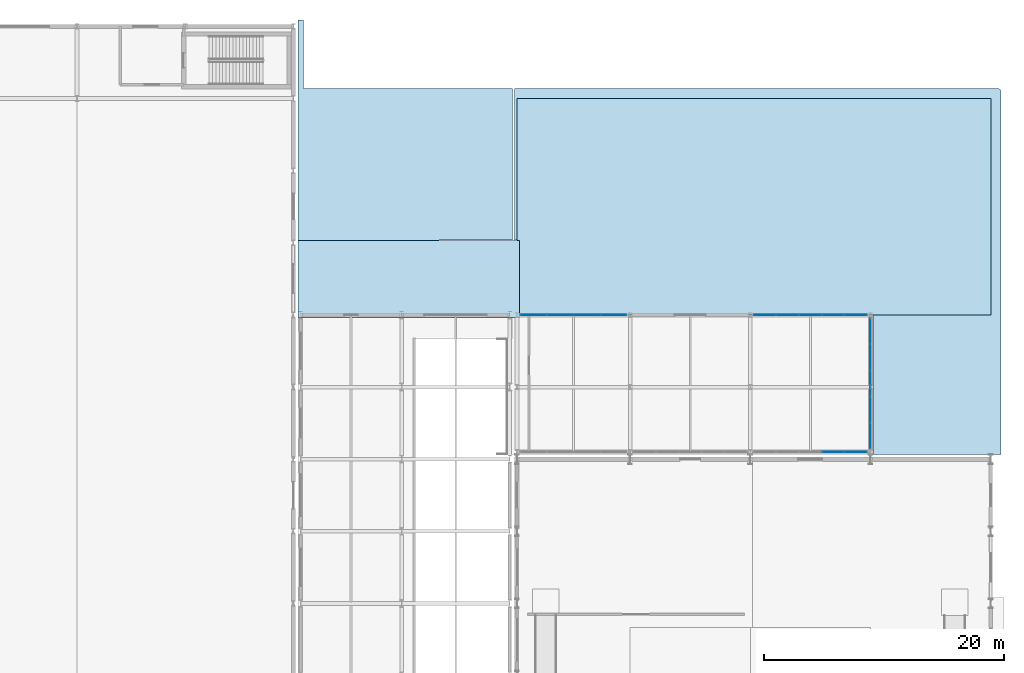
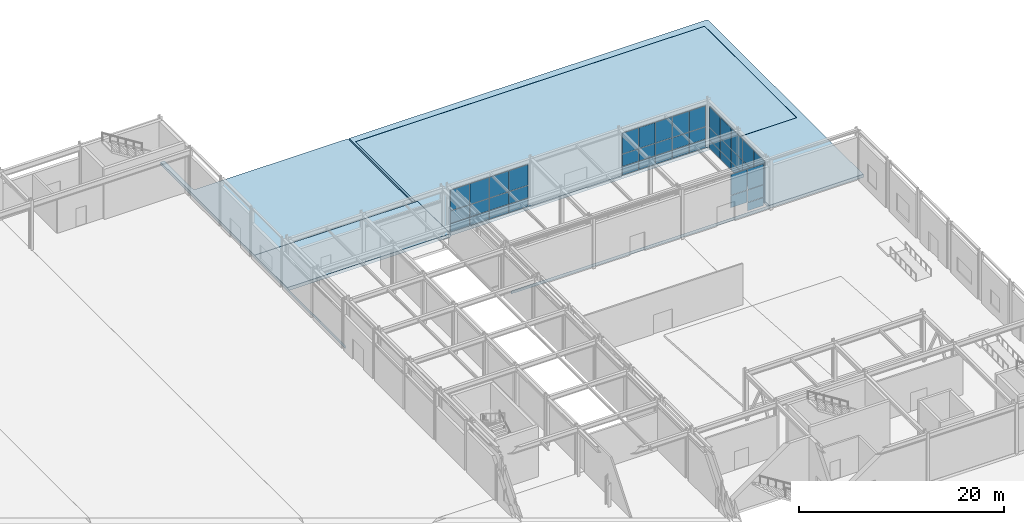
# One storey, part 114 of 146: 47 plates, 4 slabs, 4 elements without a shape of their own.
"""IFC4 building model written with IfcOpenShell, lengths in metres."""

from ifc_helpers import new_model, si_unit, direction, frame, origin, origin_2d, place, context, subcontext, project, spatial, polyline, rectangle, outline, extrude, material, layer, layer_set, type_object, element, aggregate, save


model = new_model("IFC4")

# Units and contexts
model_context = context("Model", 3, precision=1e-05, world=origin(), true_north=direction((0.0, 1.0)))
body_context = subcontext(model_context, "Body", "Model", "MODEL_VIEW")
ifc_project = project(units=[si_unit("LENGTHUNIT", "METRE"), si_unit("AREAUNIT", "SQUARE_METRE"), si_unit("VOLUMEUNIT", "CUBIC_METRE"), si_unit("PLANEANGLEUNIT", "RADIAN"), si_unit("MASSUNIT", "GRAM", prefix="KILO")], contexts=[model_context])

# Site, building, storey
site_placement = place(None, origin())
site = spatial("IfcSite", under=ifc_project, at=site_placement, CompositionType="ELEMENT")
building_placement = place(site_placement, origin())
building = spatial("IfcBuilding", under=site, at=building_placement, Name="Kaldris Quays Convention Centre", CompositionType="ELEMENT")
storey_placement = place(building_placement, origin())
storey = spatial("IfcBuildingStorey", under=building, at=storey_placement, Name="L00", CompositionType="ELEMENT", Elevation=0.0)

# Curtain wall, plates
ifc_material_1 = material(Name="Anodized aluminium AW-6060 and triple glazing", Category="aluminium")
curtain_wall_type = type_object("IfcCurtainWallType", Name="UNITISED CURTAIN WALL CW06", PredefinedType="NOTDEFINED", material=ifc_material_1)
curtain_wall_1_placement = place(storey_placement, origin())
curtain_wall_1 = element("IfcCurtainWall", 1, at=curtain_wall_1_placement, inside=storey, type_object=curtain_wall_type, Name="L00 Unitised Curtain Wall CW06 153", PredefinedType="NOTDEFINED")
ifc_material_2 = material(Name="Triple low-E insulated glazing", Category="glass")
plate_type_1 = type_object("IfcPlateType", Name="CURTAIN GLAZING PANEL CWP1", PredefinedType="CURTAIN_PANEL", material=ifc_material_2)
plate_1_placement = place(storey_placement, frame((165.9775390625, 116.0, 0.06005859375), z_axis=(0.0, 0.0, 1.0), x_axis=(1.0, 0.0, 0.0)))
plate_1 = element("IfcPlate", 2, at=plate_1_placement, type_object=plate_type_1, Name="CW06 panel 1.1", PredefinedType="CURTAIN_PANEL", context=body_context, shape_type="SweptSolid", body=[
    extrude(rectangle(XDim=2.135009765625, YDim=0.029052734375, at=origin_2d()), origin(), (0.0, 0.0, 1.0), 0.9599609375),
])
plate_2_placement = place(storey_placement, frame((165.9775390625, 116.0, 1.080078125), z_axis=(0.0, 0.0, 1.0), x_axis=(1.0, 0.0, 0.0)))
plate_2 = element("IfcPlate", 3, at=plate_2_placement, type_object=plate_type_1, Name="CW06 panel 1.2", PredefinedType="CURTAIN_PANEL", context=body_context, shape_type="SweptSolid", body=[
    extrude(rectangle(XDim=2.135009765625, YDim=0.029052734375, at=origin_2d()), origin(), (0.0, 0.0, 1.0), 1.43896484375),
])
plate_3_placement = place(storey_placement, frame((165.9775390625, 116.0, 2.5791015625), z_axis=(0.0, 0.0, 1.0), x_axis=(1.0, 0.0, 0.0)))
plate_3 = element("IfcPlate", 4, at=plate_3_placement, type_object=plate_type_1, Name="CW06 panel 1.3", PredefinedType="CURTAIN_PANEL", context=body_context, shape_type="SweptSolid", body=[
    extrude(rectangle(XDim=2.135009765625, YDim=0.029052734375, at=origin_2d()), origin(), (0.0, 0.0, 1.0), 2.458984375),
])
plate_4_placement = place(storey_placement, frame((168.1875, 116.0, 0.06005859375), z_axis=(0.0, 0.0, 1.0), x_axis=(1.0, 0.0, 0.0)))
plate_4 = element("IfcPlate", 5, at=plate_4_placement, type_object=plate_type_1, Name="CW06 panel 2.1", PredefinedType="CURTAIN_PANEL", context=body_context, shape_type="SweptSolid", body=[
    extrude(rectangle(XDim=2.1650390625, YDim=0.029052734375, at=origin_2d()), origin(), (0.0, 0.0, 1.0), 0.9599609375),
])
plate_5_placement = place(storey_placement, frame((168.1875, 116.0, 1.080078125), z_axis=(0.0, 0.0, 1.0), x_axis=(1.0, 0.0, 0.0)))
plate_5 = element("IfcPlate", 6, at=plate_5_placement, type_object=plate_type_1, Name="CW06 panel 2.2", PredefinedType="CURTAIN_PANEL", context=body_context, shape_type="SweptSolid", body=[
    extrude(rectangle(XDim=2.1650390625, YDim=0.029052734375, at=origin_2d()), origin(), (0.0, 0.0, 1.0), 1.43896484375),
])
plate_6_placement = place(storey_placement, frame((168.1875, 116.0, 2.5791015625), z_axis=(0.0, 0.0, 1.0), x_axis=(1.0, 0.0, 0.0)))
plate_6 = element("IfcPlate", 7, at=plate_6_placement, type_object=plate_type_1, Name="CW06 panel 2.3", PredefinedType="CURTAIN_PANEL", context=body_context, shape_type="SweptSolid", body=[
    extrude(rectangle(XDim=2.1650390625, YDim=0.029052734375, at=origin_2d()), origin(), (0.0, 0.0, 1.0), 2.458984375),
])
plate_7_placement = place(storey_placement, frame((170.41259765625, 116.0, 0.06005859375), z_axis=(0.0, 0.0, 1.0), x_axis=(1.0, 0.0, 0.0)))
plate_7 = element("IfcPlate", 8, at=plate_7_placement, type_object=plate_type_1, Name="CW06 panel 3.1", PredefinedType="CURTAIN_PANEL", context=body_context, shape_type="SweptSolid", body=[
    extrude(rectangle(XDim=2.1650390625, YDim=0.029052734375, at=origin_2d()), origin(), (0.0, 0.0, 1.0), 0.9599609375),
])
plate_8_placement = place(storey_placement, frame((170.41259765625, 116.0, 1.080078125), z_axis=(0.0, 0.0, 1.0), x_axis=(1.0, 0.0, 0.0)))
plate_8 = element("IfcPlate", 9, at=plate_8_placement, type_object=plate_type_1, Name="CW06 panel 3.2", PredefinedType="CURTAIN_PANEL", context=body_context, shape_type="SweptSolid", body=[
    extrude(rectangle(XDim=2.1650390625, YDim=0.029052734375, at=origin_2d()), origin(), (0.0, 0.0, 1.0), 1.43896484375),
])
plate_9_placement = place(storey_placement, frame((170.41259765625, 116.0, 2.5791015625), z_axis=(0.0, 0.0, 1.0), x_axis=(1.0, 0.0, 0.0)))
plate_9 = element("IfcPlate", 10, at=plate_9_placement, type_object=plate_type_1, Name="CW06 panel 3.3", PredefinedType="CURTAIN_PANEL", context=body_context, shape_type="SweptSolid", body=[
    extrude(rectangle(XDim=2.1650390625, YDim=0.029052734375, at=origin_2d()), origin(), (0.0, 0.0, 1.0), 2.458984375),
])
plate_10_placement = place(storey_placement, frame((172.62255859375, 116.0, 0.06005859375), z_axis=(0.0, 0.0, 1.0), x_axis=(1.0, 0.0, 0.0)))
plate_10 = element("IfcPlate", 11, at=plate_10_placement, type_object=plate_type_1, Name="CW06 panel 4.1", PredefinedType="CURTAIN_PANEL", context=body_context, shape_type="SweptSolid", body=[
    extrude(rectangle(XDim=2.135009765625, YDim=0.029052734375, at=origin_2d()), origin(), (0.0, 0.0, 1.0), 0.9599609375),
])
plate_11_placement = place(storey_placement, frame((172.62255859375, 116.0, 1.080078125), z_axis=(0.0, 0.0, 1.0), x_axis=(1.0, 0.0, 0.0)))
plate_11 = element("IfcPlate", 12, at=plate_11_placement, type_object=plate_type_1, Name="CW06 panel 4.2", PredefinedType="CURTAIN_PANEL", context=body_context, shape_type="SweptSolid", body=[
    extrude(rectangle(XDim=2.135009765625, YDim=0.029052734375, at=origin_2d()), origin(), (0.0, 0.0, 1.0), 1.43896484375),
])
plate_12_placement = place(storey_placement, frame((172.62255859375, 116.0, 2.5791015625), z_axis=(0.0, 0.0, 1.0), x_axis=(1.0, 0.0, 0.0)))
plate_12 = element("IfcPlate", 13, at=plate_12_placement, type_object=plate_type_1, Name="CW06 panel 4.3", PredefinedType="CURTAIN_PANEL", context=body_context, shape_type="SweptSolid", body=[
    extrude(rectangle(XDim=2.135009765625, YDim=0.029052734375, at=origin_2d()), origin(), (0.0, 0.0, 1.0), 2.458984375),
])
aggregate(curtain_wall_1, [plate_1, plate_2, plate_3, plate_4, plate_5, plate_6, plate_7, plate_8, plate_9, plate_10, plate_11, plate_12])

curtain_wall_2_placement = place(storey_placement, origin())
curtain_wall_2 = element("IfcCurtainWall", 14, at=curtain_wall_2_placement, inside=storey, type_object=curtain_wall_type, Name="L00 Unitised Curtain Wall CW06 156", PredefinedType="NOTDEFINED")
plate_type_2 = type_object("IfcPlateType", Name="CURTAIN GLAZING PANEL CWP4", PredefinedType="CURTAIN_PANEL", material=ifc_material_2)
plate_13_placement = place(storey_placement, frame((185.215087890625, 116.0, 0.06005859375), z_axis=(0.0, 0.0, 1.0), x_axis=(1.0, 0.0, 0.0)))
plate_13 = element("IfcPlate", 15, at=plate_13_placement, type_object=plate_type_2, Name="CW06 panel 1.1", PredefinedType="CURTAIN_PANEL", context=body_context, shape_type="SweptSolid", body=[
    extrude(rectangle(XDim=1.81005859375, YDim=0.0439453125, at=origin_2d()), origin(), (0.0, 0.0, 1.0), 0.9599609375),
])
plate_14_placement = place(storey_placement, frame((185.215087890625, 116.0, 1.080078125), z_axis=(0.0, 0.0, 1.0), x_axis=(1.0, 0.0, 0.0)))
plate_14 = element("IfcPlate", 16, at=plate_14_placement, type_object=plate_type_2, Name="CW06 panel 1.2", PredefinedType="CURTAIN_PANEL", context=body_context, shape_type="SweptSolid", body=[
    extrude(rectangle(XDim=1.81005859375, YDim=0.0439453125, at=origin_2d()), origin(), (0.0, 0.0, 1.0), 1.43896484375),
])
plate_15_placement = place(storey_placement, frame((185.215087890625, 116.0, 2.5791015625), z_axis=(0.0, 0.0, 1.0), x_axis=(1.0, 0.0, 0.0)))
plate_15 = element("IfcPlate", 17, at=plate_15_placement, type_object=plate_type_2, Name="CW06 panel 1.3", PredefinedType="CURTAIN_PANEL", context=body_context, shape_type="SweptSolid", body=[
    extrude(rectangle(XDim=1.81005859375, YDim=0.0439453125, at=origin_2d()), origin(), (0.0, 0.0, 1.0), 2.458984375),
])
plate_16_placement = place(storey_placement, frame((187.10009765625, 116.0, 0.06005859375), z_axis=(0.0, 0.0, 1.0), x_axis=(1.0, 0.0, 0.0)))
plate_16 = element("IfcPlate", 18, at=plate_16_placement, type_object=plate_type_2, Name="CW06 panel 2.1", PredefinedType="CURTAIN_PANEL", context=body_context, shape_type="SweptSolid", body=[
    extrude(rectangle(XDim=1.840087890625, YDim=0.0439453125, at=origin_2d()), origin(), (0.0, 0.0, 1.0), 0.9599609375),
])
plate_17_placement = place(storey_placement, frame((187.10009765625, 116.0, 1.080078125), z_axis=(0.0, 0.0, 1.0), x_axis=(1.0, 0.0, 0.0)))
plate_17 = element("IfcPlate", 19, at=plate_17_placement, type_object=plate_type_2, Name="CW06 panel 2.2", PredefinedType="CURTAIN_PANEL", context=body_context, shape_type="SweptSolid", body=[
    extrude(rectangle(XDim=1.840087890625, YDim=0.0439453125, at=origin_2d()), origin(), (0.0, 0.0, 1.0), 1.43896484375),
])
plate_18_placement = place(storey_placement, frame((187.10009765625, 116.0, 2.5791015625), z_axis=(0.0, 0.0, 1.0), x_axis=(1.0, 0.0, 0.0)))
plate_18 = element("IfcPlate", 20, at=plate_18_placement, type_object=plate_type_2, Name="CW06 panel 2.3", PredefinedType="CURTAIN_PANEL", context=body_context, shape_type="SweptSolid", body=[
    extrude(rectangle(XDim=1.840087890625, YDim=0.0439453125, at=origin_2d()), origin(), (0.0, 0.0, 1.0), 2.458984375),
])
plate_19_placement = place(storey_placement, frame((189.0, 116.0, 0.06005859375), z_axis=(0.0, 0.0, 1.0), x_axis=(1.0, 0.0, 0.0)))
plate_19 = element("IfcPlate", 21, at=plate_19_placement, type_object=plate_type_2, Name="CW06 panel 3.1", PredefinedType="CURTAIN_PANEL", context=body_context, shape_type="SweptSolid", body=[
    extrude(rectangle(XDim=1.840087890625, YDim=0.0439453125, at=origin_2d()), origin(), (0.0, 0.0, 1.0), 0.9599609375),
])
plate_20_placement = place(storey_placement, frame((189.0, 116.0, 1.080078125), z_axis=(0.0, 0.0, 1.0), x_axis=(1.0, 0.0, 0.0)))
plate_20 = element("IfcPlate", 22, at=plate_20_placement, type_object=plate_type_2, Name="CW06 panel 3.2", PredefinedType="CURTAIN_PANEL", context=body_context, shape_type="SweptSolid", body=[
    extrude(rectangle(XDim=1.840087890625, YDim=0.0439453125, at=origin_2d()), origin(), (0.0, 0.0, 1.0), 1.43896484375),
])
plate_21_placement = place(storey_placement, frame((189.0, 116.0, 2.5791015625), z_axis=(0.0, 0.0, 1.0), x_axis=(1.0, 0.0, 0.0)))
plate_21 = element("IfcPlate", 23, at=plate_21_placement, type_object=plate_type_2, Name="CW06 panel 3.3", PredefinedType="CURTAIN_PANEL", context=body_context, shape_type="SweptSolid", body=[
    extrude(rectangle(XDim=1.840087890625, YDim=0.0439453125, at=origin_2d()), origin(), (0.0, 0.0, 1.0), 2.458984375),
])
plate_22_placement = place(storey_placement, frame((190.89990234375, 116.0, 0.06005859375), z_axis=(0.0, 0.0, 1.0), x_axis=(1.0, 0.0, 0.0)))
plate_22 = element("IfcPlate", 24, at=plate_22_placement, type_object=plate_type_2, Name="CW06 panel 4.1", PredefinedType="CURTAIN_PANEL", context=body_context, shape_type="SweptSolid", body=[
    extrude(rectangle(XDim=1.840087890625, YDim=0.0439453125, at=origin_2d()), origin(), (0.0, 0.0, 1.0), 0.9599609375),
])
plate_23_placement = place(storey_placement, frame((190.89990234375, 116.0, 1.080078125), z_axis=(0.0, 0.0, 1.0), x_axis=(1.0, 0.0, 0.0)))
plate_23 = element("IfcPlate", 25, at=plate_23_placement, type_object=plate_type_2, Name="CW06 panel 4.2", PredefinedType="CURTAIN_PANEL", context=body_context, shape_type="SweptSolid", body=[
    extrude(rectangle(XDim=1.840087890625, YDim=0.0439453125, at=origin_2d()), origin(), (0.0, 0.0, 1.0), 1.43896484375),
])
plate_24_placement = place(storey_placement, frame((190.89990234375, 116.0, 2.5791015625), z_axis=(0.0, 0.0, 1.0), x_axis=(1.0, 0.0, 0.0)))
plate_24 = element("IfcPlate", 26, at=plate_24_placement, type_object=plate_type_2, Name="CW06 panel 4.3", PredefinedType="CURTAIN_PANEL", context=body_context, shape_type="SweptSolid", body=[
    extrude(rectangle(XDim=1.840087890625, YDim=0.0439453125, at=origin_2d()), origin(), (0.0, 0.0, 1.0), 2.458984375),
])
plate_25_placement = place(storey_placement, frame((192.784912109375, 116.0, 0.06005859375), z_axis=(0.0, 0.0, 1.0), x_axis=(1.0, 0.0, 0.0)))
plate_25 = element("IfcPlate", 27, at=plate_25_placement, type_object=plate_type_2, Name="CW06 panel 5.1", PredefinedType="CURTAIN_PANEL", context=body_context, shape_type="SweptSolid", body=[
    extrude(rectangle(XDim=1.81005859375, YDim=0.0439453125, at=origin_2d()), origin(), (0.0, 0.0, 1.0), 0.9599609375),
])
plate_26_placement = place(storey_placement, frame((192.784912109375, 116.0, 1.080078125), z_axis=(0.0, 0.0, 1.0), x_axis=(1.0, 0.0, 0.0)))
plate_26 = element("IfcPlate", 28, at=plate_26_placement, type_object=plate_type_2, Name="CW06 panel 5.2", PredefinedType="CURTAIN_PANEL", context=body_context, shape_type="SweptSolid", body=[
    extrude(rectangle(XDim=1.81005859375, YDim=0.0439453125, at=origin_2d()), origin(), (0.0, 0.0, 1.0), 1.43896484375),
])
plate_27_placement = place(storey_placement, frame((192.784912109375, 116.0, 2.5791015625), z_axis=(0.0, 0.0, 1.0), x_axis=(1.0, 0.0, 0.0)))
plate_27 = element("IfcPlate", 29, at=plate_27_placement, type_object=plate_type_2, Name="CW06 panel 5.3", PredefinedType="CURTAIN_PANEL", context=body_context, shape_type="SweptSolid", body=[
    extrude(rectangle(XDim=1.81005859375, YDim=0.0439453125, at=origin_2d()), origin(), (0.0, 0.0, 1.0), 2.458984375),
])
aggregate(curtain_wall_2, [plate_13, plate_14, plate_15, plate_16, plate_17, plate_18, plate_19, plate_20, plate_21, plate_22, plate_23, plate_24, plate_25, plate_26, plate_27])

curtain_wall_3_placement = place(storey_placement, origin())
curtain_wall_3 = element("IfcCurtainWall", 30, at=curtain_wall_3_placement, inside=storey, type_object=curtain_wall_type, Name="L00 Unitised Curtain Wall CW06 157", PredefinedType="NOTDEFINED")
plate_type_3 = type_object("IfcPlateType", Name="CURTAIN GLAZING PANEL CWP5", PredefinedType="CURTAIN_PANEL", material=ifc_material_2)
plate_28_placement = place(storey_placement, frame((190.89990234375, 104.60009765625, 1.080078125), z_axis=(0.0, 0.0, 1.0), x_axis=(1.0, 0.0, 0.0)))
plate_28 = element("IfcPlate", 31, at=plate_28_placement, type_object=plate_type_3, Name="CW06 panel 4.2", PredefinedType="CURTAIN_PANEL", context=body_context, shape_type="SweptSolid", body=[
    extrude(rectangle(XDim=1.840087890625, YDim=0.049072265625, at=origin_2d()), origin(), (0.0, 0.0, 1.0), 1.43896484375),
])
plate_29_placement = place(storey_placement, frame((190.89990234375, 104.60009765625, 2.5791015625), z_axis=(0.0, 0.0, 1.0), x_axis=(1.0, 0.0, 0.0)))
plate_29 = element("IfcPlate", 32, at=plate_29_placement, type_object=plate_type_3, Name="CW06 panel 4.3", PredefinedType="CURTAIN_PANEL", context=body_context, shape_type="SweptSolid", body=[
    extrude(rectangle(XDim=1.840087890625, YDim=0.049072265625, at=origin_2d()), origin(), (0.0, 0.0, 1.0), 2.458984375),
])
plate_30_placement = place(storey_placement, frame((192.784912109375, 104.60009765625, 0.06005859375), z_axis=(0.0, 0.0, 1.0), x_axis=(1.0, 0.0, 0.0)))
plate_30 = element("IfcPlate", 33, at=plate_30_placement, type_object=plate_type_3, Name="CW06 panel 5.1", PredefinedType="CURTAIN_PANEL", context=body_context, shape_type="SweptSolid", body=[
    extrude(rectangle(XDim=1.81005859375, YDim=0.049072265625, at=origin_2d()), origin(), (0.0, 0.0, 1.0), 0.9599609375),
])
plate_31_placement = place(storey_placement, frame((192.784912109375, 104.60009765625, 1.080078125), z_axis=(0.0, 0.0, 1.0), x_axis=(1.0, 0.0, 0.0)))
plate_31 = element("IfcPlate", 34, at=plate_31_placement, type_object=plate_type_3, Name="CW06 panel 5.2", PredefinedType="CURTAIN_PANEL", context=body_context, shape_type="SweptSolid", body=[
    extrude(rectangle(XDim=1.81005859375, YDim=0.049072265625, at=origin_2d()), origin(), (0.0, 0.0, 1.0), 1.43896484375),
])
plate_32_placement = place(storey_placement, frame((192.784912109375, 104.60009765625, 2.5791015625), z_axis=(0.0, 0.0, 1.0), x_axis=(1.0, 0.0, 0.0)))
plate_32 = element("IfcPlate", 35, at=plate_32_placement, type_object=plate_type_3, Name="CW06 panel 5.3", PredefinedType="CURTAIN_PANEL", context=body_context, shape_type="SweptSolid", body=[
    extrude(rectangle(XDim=1.81005859375, YDim=0.049072265625, at=origin_2d()), origin(), (0.0, 0.0, 1.0), 2.458984375),
])
aggregate(curtain_wall_3, [plate_28, plate_29, plate_30, plate_31, plate_32])

curtain_wall_4_placement = place(storey_placement, origin())
curtain_wall_4 = element("IfcCurtainWall", 36, at=curtain_wall_4_placement, inside=storey, type_object=curtain_wall_type, Name="L00 Unitised Curtain Wall CW06 158", PredefinedType="NOTDEFINED")
plate_type_4 = type_object("IfcPlateType", Name="CURTAIN GLAZING PANEL CWP6", PredefinedType="CURTAIN_PANEL", material=ifc_material_2)
plate_33_placement = place(storey_placement, frame((194.0, 105.955078125, 0.06005859375), z_axis=(0.0, 0.0, 1.0), x_axis=(0.0, 1.0, 0.0)))
plate_33 = element("IfcPlate", 37, at=plate_33_placement, type_object=plate_type_4, Name="CW06 panel 1.1", PredefinedType="CURTAIN_PANEL", context=body_context, shape_type="SweptSolid", body=[
    extrude(rectangle(XDim=2.090087890625, YDim=0.053955078125, at=origin_2d()), origin(), (0.0, 0.0, 1.0), 0.9599609375),
])
plate_34_placement = place(storey_placement, frame((194.0, 105.955078125, 1.080078125), z_axis=(0.0, 0.0, 1.0), x_axis=(0.0, 1.0, 0.0)))
plate_34 = element("IfcPlate", 38, at=plate_34_placement, type_object=plate_type_4, Name="CW06 panel 1.2", PredefinedType="CURTAIN_PANEL", context=body_context, shape_type="SweptSolid", body=[
    extrude(rectangle(XDim=2.090087890625, YDim=0.053955078125, at=origin_2d()), origin(), (0.0, 0.0, 1.0), 1.43896484375),
])
plate_35_placement = place(storey_placement, frame((194.0, 105.955078125, 2.5791015625), z_axis=(0.0, 0.0, 1.0), x_axis=(0.0, 1.0, 0.0)))
plate_35 = element("IfcPlate", 39, at=plate_35_placement, type_object=plate_type_4, Name="CW06 panel 1.3", PredefinedType="CURTAIN_PANEL", context=body_context, shape_type="SweptSolid", body=[
    extrude(rectangle(XDim=2.090087890625, YDim=0.053955078125, at=origin_2d()), origin(), (0.0, 0.0, 1.0), 2.458984375),
])
plate_36_placement = place(storey_placement, frame((194.0, 108.1201171875, 0.06005859375), z_axis=(0.0, 0.0, 1.0), x_axis=(0.0, 1.0, 0.0)))
plate_36 = element("IfcPlate", 40, at=plate_36_placement, type_object=plate_type_4, Name="CW06 panel 2.1", PredefinedType="CURTAIN_PANEL", context=body_context, shape_type="SweptSolid", body=[
    extrude(rectangle(XDim=2.1201171875, YDim=0.053955078125, at=origin_2d()), origin(), (0.0, 0.0, 1.0), 0.9599609375),
])
plate_37_placement = place(storey_placement, frame((194.0, 108.1201171875, 1.080078125), z_axis=(0.0, 0.0, 1.0), x_axis=(0.0, 1.0, 0.0)))
plate_37 = element("IfcPlate", 41, at=plate_37_placement, type_object=plate_type_4, Name="CW06 panel 2.2", PredefinedType="CURTAIN_PANEL", context=body_context, shape_type="SweptSolid", body=[
    extrude(rectangle(XDim=2.1201171875, YDim=0.053955078125, at=origin_2d()), origin(), (0.0, 0.0, 1.0), 1.43896484375),
])
plate_38_placement = place(storey_placement, frame((194.0, 108.1201171875, 2.5791015625), z_axis=(0.0, 0.0, 1.0), x_axis=(0.0, 1.0, 0.0)))
plate_38 = element("IfcPlate", 42, at=plate_38_placement, type_object=plate_type_4, Name="CW06 panel 2.3", PredefinedType="CURTAIN_PANEL", context=body_context, shape_type="SweptSolid", body=[
    extrude(rectangle(XDim=2.1201171875, YDim=0.053955078125, at=origin_2d()), origin(), (0.0, 0.0, 1.0), 2.458984375),
])
plate_39_placement = place(storey_placement, frame((194.0, 110.300048828125, 0.06005859375), z_axis=(0.0, 0.0, 1.0), x_axis=(0.0, 1.0, 0.0)))
plate_39 = element("IfcPlate", 43, at=plate_39_placement, type_object=plate_type_4, Name="CW06 panel 3.1", PredefinedType="CURTAIN_PANEL", context=body_context, shape_type="SweptSolid", body=[
    extrude(rectangle(XDim=2.1201171875, YDim=0.053955078125, at=origin_2d()), origin(), (0.0, 0.0, 1.0), 0.9599609375),
])
plate_40_placement = place(storey_placement, frame((194.0, 110.300048828125, 1.080078125), z_axis=(0.0, 0.0, 1.0), x_axis=(0.0, 1.0, 0.0)))
plate_40 = element("IfcPlate", 44, at=plate_40_placement, type_object=plate_type_4, Name="CW06 panel 3.2", PredefinedType="CURTAIN_PANEL", context=body_context, shape_type="SweptSolid", body=[
    extrude(rectangle(XDim=2.1201171875, YDim=0.053955078125, at=origin_2d()), origin(), (0.0, 0.0, 1.0), 1.43896484375),
])
plate_41_placement = place(storey_placement, frame((194.0, 110.300048828125, 2.5791015625), z_axis=(0.0, 0.0, 1.0), x_axis=(0.0, 1.0, 0.0)))
plate_41 = element("IfcPlate", 45, at=plate_41_placement, type_object=plate_type_4, Name="CW06 panel 3.3", PredefinedType="CURTAIN_PANEL", context=body_context, shape_type="SweptSolid", body=[
    extrude(rectangle(XDim=2.1201171875, YDim=0.053955078125, at=origin_2d()), origin(), (0.0, 0.0, 1.0), 2.458984375),
])
plate_42_placement = place(storey_placement, frame((194.0, 112.47998046875, 0.06005859375), z_axis=(0.0, 0.0, 1.0), x_axis=(0.0, 1.0, 0.0)))
plate_42 = element("IfcPlate", 46, at=plate_42_placement, type_object=plate_type_4, Name="CW06 panel 4.1", PredefinedType="CURTAIN_PANEL", context=body_context, shape_type="SweptSolid", body=[
    extrude(rectangle(XDim=2.1201171875, YDim=0.053955078125, at=origin_2d()), origin(), (0.0, 0.0, 1.0), 0.9599609375),
])
plate_43_placement = place(storey_placement, frame((194.0, 112.47998046875, 1.080078125), z_axis=(0.0, 0.0, 1.0), x_axis=(0.0, 1.0, 0.0)))
plate_43 = element("IfcPlate", 47, at=plate_43_placement, type_object=plate_type_4, Name="CW06 panel 4.2", PredefinedType="CURTAIN_PANEL", context=body_context, shape_type="SweptSolid", body=[
    extrude(rectangle(XDim=2.1201171875, YDim=0.053955078125, at=origin_2d()), origin(), (0.0, 0.0, 1.0), 1.43896484375),
])
plate_44_placement = place(storey_placement, frame((194.0, 112.47998046875, 2.5791015625), z_axis=(0.0, 0.0, 1.0), x_axis=(0.0, 1.0, 0.0)))
plate_44 = element("IfcPlate", 48, at=plate_44_placement, type_object=plate_type_4, Name="CW06 panel 4.3", PredefinedType="CURTAIN_PANEL", context=body_context, shape_type="SweptSolid", body=[
    extrude(rectangle(XDim=2.1201171875, YDim=0.053955078125, at=origin_2d()), origin(), (0.0, 0.0, 1.0), 2.458984375),
])
plate_45_placement = place(storey_placement, frame((194.0, 114.64501953125, 0.06005859375), z_axis=(0.0, 0.0, 1.0), x_axis=(0.0, 1.0, 0.0)))
plate_45 = element("IfcPlate", 49, at=plate_45_placement, type_object=plate_type_4, Name="CW06 panel 5.1", PredefinedType="CURTAIN_PANEL", context=body_context, shape_type="SweptSolid", body=[
    extrude(rectangle(XDim=2.090087890625, YDim=0.053955078125, at=origin_2d()), origin(), (0.0, 0.0, 1.0), 0.9599609375),
])
plate_46_placement = place(storey_placement, frame((194.0, 114.64501953125, 1.080078125), z_axis=(0.0, 0.0, 1.0), x_axis=(0.0, 1.0, 0.0)))
plate_46 = element("IfcPlate", 50, at=plate_46_placement, type_object=plate_type_4, Name="CW06 panel 5.2", PredefinedType="CURTAIN_PANEL", context=body_context, shape_type="SweptSolid", body=[
    extrude(rectangle(XDim=2.090087890625, YDim=0.053955078125, at=origin_2d()), origin(), (0.0, 0.0, 1.0), 1.43896484375),
])
plate_47_placement = place(storey_placement, frame((194.0, 114.64501953125, 2.5791015625), z_axis=(0.0, 0.0, 1.0), x_axis=(0.0, 1.0, 0.0)))
plate_47 = element("IfcPlate", 51, at=plate_47_placement, type_object=plate_type_4, Name="CW06 panel 5.3", PredefinedType="CURTAIN_PANEL", context=body_context, shape_type="SweptSolid", body=[
    extrude(rectangle(XDim=2.090087890625, YDim=0.053955078125, at=origin_2d()), origin(), (0.0, 0.0, 1.0), 2.458984375),
])
aggregate(curtain_wall_4, [plate_33, plate_34, plate_35, plate_36, plate_37, plate_38, plate_39, plate_40, plate_41, plate_42, plate_43, plate_44, plate_45, plate_46, plate_47])

# Slabs
ifc_material_3 = material(Name="Concrete C35/45", Category="concrete")
ifc_layer_1 = layer(ifc_material_3, 0.39990234375)
ifc_layer_set_1 = layer_set([ifc_layer_1], Name="Concrete C35/45")
slab_type_1 = type_object("IfcSlabType", Name="STRUCTURAL SLAB BS03", PredefinedType="BASESLAB", material=ifc_layer_set_1)
slab_1_placement = place(storey_placement, frame((0.0, 0.0, -0.39990234375)))
element("IfcSlab", 52, at=slab_1_placement, inside=storey, type_object=slab_type_1, Name="L00 North Service Apron Structural Deck SLAB-L00-NAPRON", PredefinedType="BASESLAB", context=body_context, shape_type="SweptSolid", body=[
    extrude(outline(polyline([(146.39990234375, 115.800048828125), (146.39990234375, 122.199951171875), (164.800048828125, 122.199951171875), (164.800048828125, 115.800048828125), (146.39990234375, 115.800048828125)])), origin(), (0.0, 0.0, 1.0), 0.39990234375),
])
slab_2_placement = place(storey_placement, frame((0.0, 0.0, -0.39990234375)))
element("IfcSlab", 53, at=slab_2_placement, inside=storey, type_object=slab_type_1, Name="L00 NE Service Yard Structural Deck SLAB-L00-NEYARD", PredefinedType="BASESLAB", context=body_context, shape_type="SweptSolid", body=[
    extrude(outline(polyline([(164.60009765625, 134.0), (204.0, 134.0), (204.0, 116.0), (164.802001953125, 116.0), (164.802001953125, 122.199951171875), (164.60009765625, 122.201904296875), (164.60009765625, 134.0)])), origin(), (0.0, 0.0, 1.0), 0.39990234375),
])
ifc_layer_2 = layer(ifc_material_3, 0.35009765625)
ifc_layer_set_2 = layer_set([ifc_layer_2], Name="Concrete C35/45")
slab_type_2 = type_object("IfcSlabType", Name="STRUCTURAL SLAB BS04", PredefinedType="BASESLAB", material=ifc_layer_set_2)
slab_3_placement = place(storey_placement, frame((0.0, 0.0, -0.35009765625)))
element("IfcSlab", 54, at=slab_3_placement, inside=storey, type_object=slab_type_2, Name="L00 Harbour Quay and Service Yard Plinth Slab 2", PredefinedType="BASESLAB", context=body_context, shape_type="SweptSolid", body=[
    extrude(outline(polyline([(164.22509765625, 134.830078125), (164.22509765625, 122.215087890625), (146.38671875, 122.20703125), (146.375, 104.375), (146.375, 140.530029296875), (146.830078125, 140.530029296875), (146.830078125, 134.830078125), (164.22509765625, 134.830078125)])), origin(), (0.0, 0.0, 1.0), 0.35009765625),
])
slab_4_placement = place(storey_placement, frame((0.0, 0.0, -0.35009765625)))
element("IfcSlab", 55, at=slab_4_placement, inside=storey, type_object=slab_type_2, Name="L00 Harbour Quay and Service Yard Plinth Slab 3", PredefinedType="BASESLAB", context=body_context, shape_type="SweptSolid", body=[
    extrude(outline(polyline([(204.64990234375, 134.830078125), (204.77734375, 134.77734375), (204.830078125, 134.64990234375), (204.830078125, 104.375), (165.050048828125, 104.375), (194.20947265625, 104.388427734375), (194.215087890625, 115.985107421875), (204.014404296875, 115.99560546875), (204.014892578125, 134.0), (164.595703125, 134.014404296875), (164.5849609375, 122.215087890625), (164.375, 122.215087890625), (164.375, 134.830078125), (204.64990234375, 134.830078125)])), origin(), (0.0, 0.0, 1.0), 0.35009765625),
])

save(model, "model.ifc")
